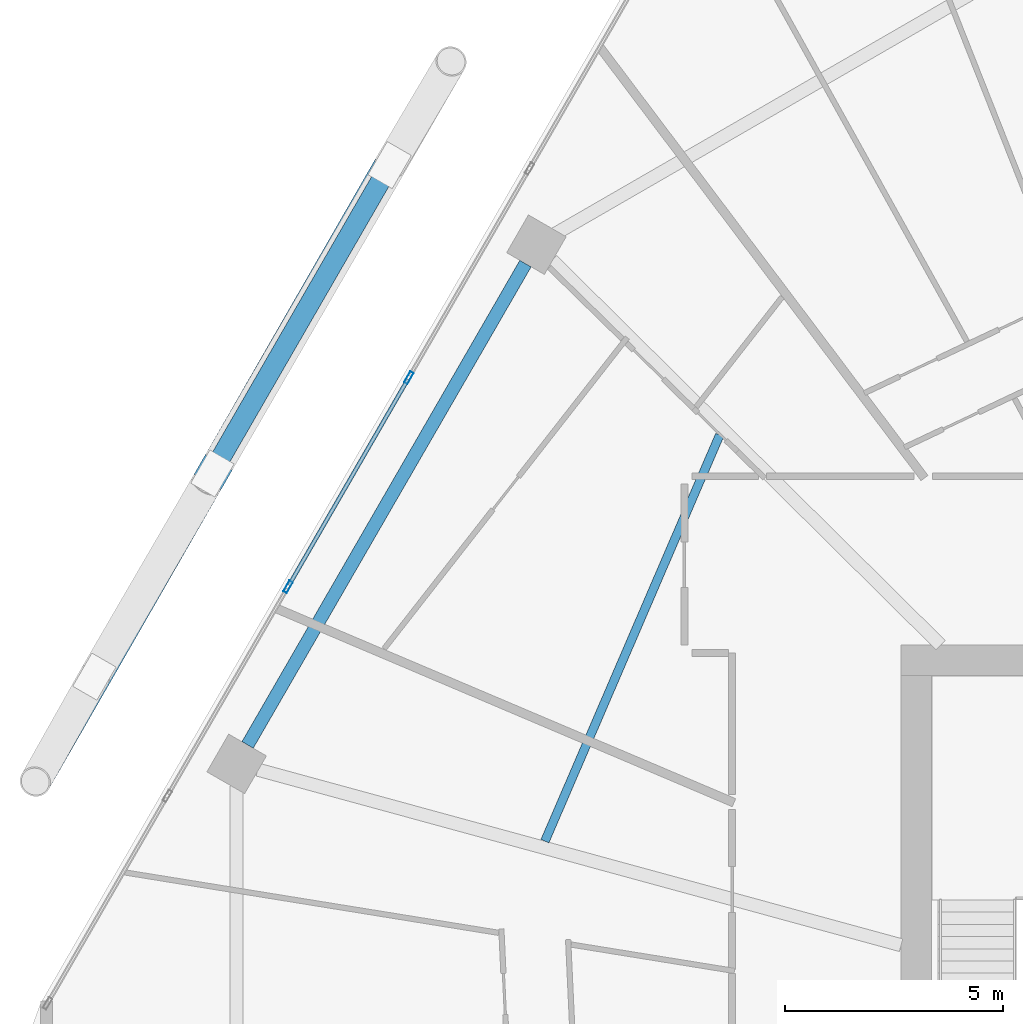
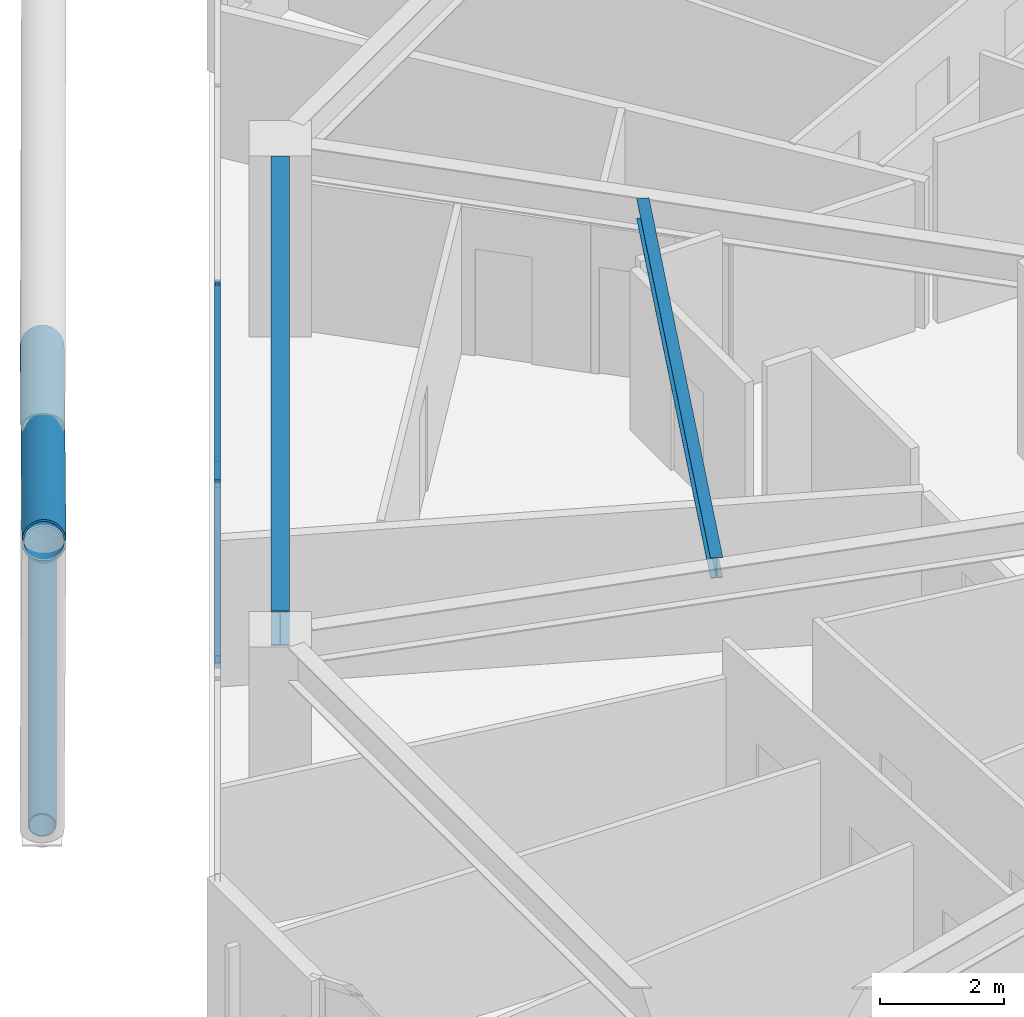
# One storey, part 12 of 29: 6 members, 2 beams, 1 element without a shape of its own.
"""IFC4 building model written with IfcOpenShell, lengths in metres."""

import ifcopenshell
import ifcopenshell.guid

model = None  # the IFC model being written
_history = None  # IfcOwnerHistory: only IFC2X3 demands one
_inside = {}  # id of a spatial element -> (the spatial element, [elements in it])
_under = {}  # id of a project, library or spatial element -> (it, [spatial elements below it])
_declared = {}  # id of a project -> (the project, [libraries it declares])
_typed = {}  # id of a type object -> (the type object, [elements of that type])
_made_of = {}  # id of a material, layer set ... -> (it, [elements and type objects made of it])


def new_model(schema):
    """Start an empty IFC model of exactly this schema.

    Asked for "IFC4X3", IfcOpenShell would pick the latest addendum, in which some entities
    have other attributes; the version numbers below select the first issue.
    IFC2X3 requires an IfcOwnerHistory on every rooted entity: one is made here for all.
    """
    global model, _history
    if schema == "IFC4X3":
        model = ifcopenshell.file(schema_version=(4, 3, 0, 0))
    else:
        model = ifcopenshell.file(schema=schema)
    _inside.clear()
    _under.clear()
    _declared.clear()
    _typed.clear()
    _made_of.clear()
    _history = None
    if model.schema == "IFC2X3":
        org = make("IfcOrganization", Name="unknown")
        user = make(
            "IfcPersonAndOrganization",
            ThePerson=make("IfcPerson", FamilyName="unknown"),
            TheOrganization=org,
        )
        app = make(
            "IfcApplication",
            ApplicationDeveloper=org,
            Version="unknown",
            ApplicationFullName="unknown",
            ApplicationIdentifier="unknown",
        )
        _history = make(
            "IfcOwnerHistory",
            OwningUser=user,
            OwningApplication=app,
            ChangeAction="ADDED",
            CreationDate=0,
        )
    return model


def make(cls, **values):
    """One entity of the class cls with the attributes given. An attribute that is None is left unset."""
    return model.create_entity(
        cls, **{name: value for name, value in values.items() if value is not None}
    )


def rooted(cls, **values):
    """An entity with a GlobalId (a new one), such as an element, a storey or a relation."""
    return make(cls, GlobalId=ifcopenshell.guid.new(), OwnerHistory=_history, **values)


def si_unit(unit_type, name, prefix=None):
    """IfcSIUnit, for example si_unit("LENGTHUNIT", "METRE", prefix="MILLI")."""
    return make("IfcSIUnit", UnitType=unit_type, Prefix=prefix, Name=name)


def assignment(units):
    """IfcUnitAssignment: the units of a project."""
    return None if units is None else make("IfcUnitAssignment", Units=units)


def point(xyz):
    """IfcCartesianPoint."""
    return None if xyz is None else make("IfcCartesianPoint", Coordinates=xyz)


def direction(xyz):
    """IfcDirection."""
    return None if xyz is None else make("IfcDirection", DirectionRatios=xyz)


def frame(location, z_axis=None, x_axis=None):
    """IfcAxis2Placement3D, a coordinate frame: its origin and axes. An axis left out is left unset."""
    return make(
        "IfcAxis2Placement3D",
        Location=point(location),
        Axis=direction(z_axis),
        RefDirection=direction(x_axis),
    )


def frame_2d(location, x_axis=None):
    """IfcAxis2Placement2D, a coordinate frame in the plane: its origin and x axis."""
    return make(
        "IfcAxis2Placement2D", Location=point(location), RefDirection=direction(x_axis)
    )


def origin():
    """The frame at (0, 0, 0) with its axes left unset."""
    return frame((0.0, 0.0, 0.0))


def origin_2d():
    """The frame at (0, 0) in the plane with its x axis left unset."""
    return frame_2d((0.0, 0.0))


def place(relative_to, where):
    """IfcLocalPlacement: puts the frame where relative to a parent placement (None: the world)."""
    return make(
        "IfcLocalPlacement", PlacementRelTo=relative_to, RelativePlacement=where
    )


def context(
    kind, dimensions, precision=None, world=None, true_north=None, identifier=None
):
    """IfcGeometricRepresentationContext, for example the 3D "Model" context."""
    return make(
        "IfcGeometricRepresentationContext",
        ContextIdentifier=identifier,
        ContextType=kind,
        CoordinateSpaceDimension=dimensions,
        Precision=precision,
        WorldCoordinateSystem=world,
        TrueNorth=true_north,
    )


def subcontext(parent, identifier, kind, view, scale=None):
    """IfcGeometricRepresentationSubContext, for example "Body" below "Model"."""
    return make(
        "IfcGeometricRepresentationSubContext",
        ContextIdentifier=identifier,
        ContextType=kind,
        ParentContext=parent,
        TargetScale=scale,
        TargetView=view,
    )


def project(units=None, contexts=None):
    """IfcProject with its units and contexts."""
    return rooted(
        "IfcProject",
        Name="project",
        RepresentationContexts=contexts,
        UnitsInContext=assignment(units),
    )


def spatial(cls, under=None, at=None, **own):
    """A site, building, storey or space (cls), placed at a placement, below another one or the project."""
    s = rooted(cls, ObjectPlacement=at, **own)
    if under is not None:
        _under.setdefault(under.id(), (under, []))[1].append(s)
    return s


def profile(cls, at=None, kind="AREA", **sizes):
    """A parametric profile (cls). Its sizes go by their IFC names, for example OverallWidth=200.0."""
    return make(cls, ProfileType=kind, Position=at, **sizes)


def hollow_rectangle(**sizes):
    """IfcRectangleHollowProfileDef."""
    return profile("IfcRectangleHollowProfileDef", **sizes)


def hollow_circle(**sizes):
    """IfcCircleHollowProfileDef."""
    return profile("IfcCircleHollowProfileDef", **sizes)


def i_section(**sizes):
    """IfcIShapeProfileDef."""
    return profile("IfcIShapeProfileDef", **sizes)


def extrude(swept, where, along, depth):
    """IfcExtrudedAreaSolid: the profile swept, set in the frame where, extruded along a direction by depth."""
    return make(
        "IfcExtrudedAreaSolid",
        SweptArea=swept,
        Position=where,
        ExtrudedDirection=direction(along),
        Depth=depth,
    )


def shape(context_of_items, identifier, shape_type, items):
    """IfcShapeRepresentation: the items that make up one representation, for example the "Body"."""
    return make(
        "IfcShapeRepresentation",
        ContextOfItems=context_of_items,
        RepresentationIdentifier=identifier,
        RepresentationType=shape_type,
        Items=items,
    )


def material(Name=None, Category=None):
    """IfcMaterial."""
    return make("IfcMaterial", Name=Name, Category=Category)


def material_profile(
    of_material, cross_section, Name=None, Category=None, Priority=None
):
    """IfcMaterialProfile: a cross section and its material."""
    return make(
        "IfcMaterialProfile",
        Name=Name,
        Material=of_material,
        Profile=cross_section,
        Priority=Priority,
        Category=Category,
    )


def profile_set(profiles, Name=None, composite=None):
    """IfcMaterialProfileSet."""
    return make(
        "IfcMaterialProfileSet",
        Name=Name,
        MaterialProfiles=profiles,
        CompositeProfile=composite,
    )


def made_of(thing, what):
    """Note that an element or type object is made of a material, layer set ...; save() writes the relation."""
    if what is not None:
        _made_of.setdefault(what.id(), (what, []))[1].append(thing)
    return thing


def type_object(cls, material=None, **own):
    """A type object (cls), such as IfcWallType, which elements share."""
    return made_of(rooted(cls, **own), material)


def element(
    cls,
    number,
    at=None,
    inside=None,
    cuts=None,
    type_object=None,
    material=None,
    context=None,
    identifier="Body",
    shape_type=None,
    held_by="IfcProductDefinitionShape",
    body=None,
    shapes=None,
    **own,
):
    """One element of the class cls, such as IfcWall. Its Tag is "e" and its number.

    at: its placement. inside: the storey or other place that contains it. cuts: it is an
    opening in that element (IfcRelVoidsElement). A single representation is given by context,
    identifier, shape_type and body (its items); several are given by shapes. held_by: the class
    of the entity that holds the representations. save() writes the other relations.
    """
    e = rooted(cls, Tag="e%d" % number, ObjectPlacement=at, **own)
    if body is not None:
        shapes = [shape(context, identifier, shape_type, body)]
    if shapes is not None:
        e.Representation = make(held_by, Representations=shapes)
    if inside is not None:
        _inside.setdefault(inside.id(), (inside, []))[1].append(e)
    if cuts is not None:
        rooted(
            "IfcRelVoidsElement", RelatingBuildingElement=cuts, RelatedOpeningElement=e
        )
    if type_object is not None:
        _typed.setdefault(type_object.id(), (type_object, []))[1].append(e)
    return made_of(e, material)


def aggregate(whole, parts):
    """IfcRelAggregates: a whole, such as a stair, and the parts it consists of."""
    return rooted("IfcRelAggregates", RelatingObject=whole, RelatedObjects=parts)


def save(model, path):
    """Write the relations noted so far, then the file.

    IfcRelAggregates (storeys below a building ...), IfcRelContainedInSpatialStructure (elements
    in a storey), IfcRelDefinesByType, IfcRelAssociatesMaterial and IfcRelDeclares: one each for
    every whole, place, type object, material and project.
    """
    for whole, parts in _under.values():
        aggregate(whole, parts)
    for where, things in _inside.values():
        rooted(
            "IfcRelContainedInSpatialStructure",
            RelatedElements=things,
            RelatingStructure=where,
        )
    for kind, things in _typed.values():
        rooted("IfcRelDefinesByType", RelatedObjects=things, RelatingType=kind)
    for what, things in _made_of.values():
        rooted("IfcRelAssociatesMaterial", RelatedObjects=things, RelatingMaterial=what)
    for by, libraries in _declared.values():
        rooted("IfcRelDeclares", RelatingContext=by, RelatedDefinitions=libraries)
    model.write(path)


model = new_model("IFC4")

# Units and contexts
model_context = context("Model", 3, precision=1e-05, world=origin(), true_north=direction((0.0, 1.0)))
body_context = subcontext(model_context, "Body", "Model", "MODEL_VIEW")
ifc_project = project(units=[si_unit("LENGTHUNIT", "METRE"), si_unit("AREAUNIT", "SQUARE_METRE"), si_unit("VOLUMEUNIT", "CUBIC_METRE"), si_unit("PLANEANGLEUNIT", "RADIAN"), si_unit("MASSUNIT", "GRAM", prefix="KILO")], contexts=[model_context])

# Site, building, storey
site_placement = place(None, origin())
site = spatial("IfcSite", under=ifc_project, at=site_placement, CompositionType="ELEMENT")
building_placement = place(site_placement, origin())
building = spatial("IfcBuilding", under=site, at=building_placement, Name="Zuhravey Tower", CompositionType="ELEMENT")
storey_placement = place(building_placement, frame((0.0, 0.0, 184.60009765625)))
storey = spatial("IfcBuildingStorey", under=building, at=storey_placement, Name="L46", CompositionType="ELEMENT", Elevation=184.60009765625)

# Curtain wall, members
ifc_material_1 = material(Name="Thermally broken anodised aluminium", Category="aluminium")
curtain_wall_type = type_object("IfcCurtainWallType", Name="Zone 1-2 Residential Curtain Wall CW3", PredefinedType="NOTDEFINED", material=ifc_material_1)
curtain_wall_placement = place(storey_placement, origin())
curtain_wall = element("IfcCurtainWall", 1, at=curtain_wall_placement, inside=storey, type_object=curtain_wall_type, Name="L46 CW3 CW-L46-F3-1", PredefinedType="NOTDEFINED")
ifc_material_2 = material(Name="Anodised aluminium", Category="aluminium")
ifc_material_profile_1 = material_profile(ifc_material_2, hollow_rectangle(XDim=0.090087890625, YDim=0.284912109375, WallThickness=0.0048828125, at=origin_2d()), Name="ALU-RHS-90x285x5")
ifc_profile_set_1 = profile_set([ifc_material_profile_1], Name="Anodised aluminium")
member_type_1 = type_object("IfcMemberType", Name="Curtain-Wall Mullion 90x180", PredefinedType="MULLION", material=ifc_profile_set_1)
member_1_placement = place(storey_placement, frame((11.07275390625, 43.190673828125, 0.0), z_axis=(0.0, 0.0, 1.0), x_axis=(-0.866025138215, 0.500000459979, 0.0)))
member_1 = element("IfcMember", 2, at=member_1_placement, type_object=member_type_1, Name="CW3 mullion 3", PredefinedType="MULLION", context=body_context, shape_type="SweptSolid", body=[
    extrude(hollow_rectangle(XDim=0.090087890625, YDim=0.284912109375, WallThickness=0.0048828125, at=origin_2d()), origin(), (0.0, 0.0, 1.0), 3.5498046875),
])
member_2_placement = place(storey_placement, frame((13.844970703125, 47.992431640625, 0.0), z_axis=(0.0, 0.0, 1.0), x_axis=(-0.866025138215, 0.500000459979, 0.0)))
member_2 = element("IfcMember", 3, at=member_2_placement, type_object=member_type_1, Name="CW3 mullion 4", PredefinedType="MULLION", context=body_context, shape_type="SweptSolid", body=[
    extrude(hollow_rectangle(XDim=0.090087890625, YDim=0.284912109375, WallThickness=0.0048828125, at=origin_2d()), origin(), (0.0, 0.0, 1.0), 3.5498046875),
])
ifc_material_profile_2 = material_profile(ifc_material_2, hollow_rectangle(XDim=0.090087890625, YDim=0.14990234375, WallThickness=0.0048828125, at=origin_2d()), Name="ALU-RHS-90x150x5")
ifc_profile_set_2 = profile_set([ifc_material_profile_2], Name="Anodised aluminium")
member_type_2 = type_object("IfcMemberType", Name="Curtain-Wall Transom 90x150", PredefinedType="USERDEFINED", material=ifc_profile_set_2)
member_3_placement = place(storey_placement, frame((11.09521484375, 43.229736328125, 0.044921875), z_axis=(0.499980763544, 0.866036509673, 0.0), x_axis=(-0.866036509673, 0.499980763544, 0.0)))
member_3 = element("IfcMember", 4, at=member_3_placement, type_object=member_type_2, Name="CW3 transom 3.1", ObjectType="TRANSOM", PredefinedType="USERDEFINED", context=body_context, shape_type="SweptSolid", body=[
    extrude(hollow_rectangle(XDim=0.090087890625, YDim=0.14990234375, WallThickness=0.0048828125, at=origin_2d()), origin(), (0.0, 0.0, 1.0), 5.454345703125),
])
member_4_placement = place(storey_placement, frame((11.09521484375, 43.229736328125, 3.5048828125), z_axis=(0.499980763544, 0.866036509673, 0.0), x_axis=(-0.866036509673, 0.499980763544, 0.0)))
member_4 = element("IfcMember", 5, at=member_4_placement, type_object=member_type_2, Name="CW3 transom 3.2", ObjectType="TRANSOM", PredefinedType="USERDEFINED", context=body_context, shape_type="SweptSolid", body=[
    extrude(hollow_rectangle(XDim=0.090087890625, YDim=0.14990234375, WallThickness=0.0048828125, at=origin_2d()), origin(), (0.0, 0.0, 1.0), 5.454345703125),
])
aggregate(curtain_wall, [member_1, member_2, member_3, member_4])

# Members
ifc_material_3 = material(Name="Steel SM355", Category="steel")
ifc_material_profile_3 = material_profile(ifc_material_3, hollow_circle(Radius=0.228515625, WallThickness=0.02197265625, at=origin_2d()), Name="CHS-457.2x22")
ifc_profile_set_3 = profile_set([ifc_material_profile_3], Name="Steel SM355")
member_type_3 = type_object("IfcMemberType", Name="Exoskeleton Ring Tie CHS457x22", PredefinedType="CHORD", material=ifc_profile_set_3)
member_5_placement = place(storey_placement, frame((13.3369140625, 52.752685546875, -0.464111328125), z_axis=(-0.499996131841, -0.866027637056, 0.0), x_axis=(0.866027637056, -0.499996131841, 0.0)))
element("IfcMember", 6, at=member_5_placement, inside=storey, type_object=member_type_3, Name="L46 Exoskeleton Face 3 Tie EXR1", PredefinedType="CHORD", context=body_context, shape_type="SweptSolid", body=[
    extrude(hollow_circle(Radius=0.228515625, WallThickness=0.02197265625, at=origin_2d()), origin(), (0.0, 0.0, 1.0), 13.28173828125),
])
ifc_material_4 = material(Name="Steel SM460", Category="steel")
ifc_material_profile_4 = material_profile(ifc_material_4, hollow_circle(Radius=0.355712890625, WallThickness=0.031982421875, at=origin_2d()), Name="CHS-711.2x32")
ifc_profile_set_4 = profile_set([ifc_material_profile_4], Name="Steel SM460")
member_type_4 = type_object("IfcMemberType", Name="Exoskeleton Zone 2 Diagrid CHS711x32", PredefinedType="BRACE", material=ifc_profile_set_4)
member_6_placement = place(storey_placement, frame((13.385498046875, 52.836669921875, -0.444091796875), z_axis=(-0.451899634466, -0.786036191222, 0.421822031738), x_axis=(0.866940223657, -0.498412127266, 0.0)))
element("IfcMember", 7, at=member_6_placement, inside=storey, type_object=member_type_4, Name="L46 Face 3 Diagrid Brace 2", PredefinedType="BRACE", context=body_context, shape_type="SweptSolid", body=[
    extrude(hollow_circle(Radius=0.355712890625, WallThickness=0.031982421875, at=origin_2d()), origin(), (0.0, 0.0, 1.0), 17.92236328125),
])

# Beams
ifc_material_profile_5 = material_profile(ifc_material_3, i_section(OverallWidth=0.300048828125, OverallDepth=0.679931640625, WebThickness=0.012939453125, FlangeThickness=0.02197265625, at=origin_2d()), Name="H-680x300x13x22")
ifc_profile_set_5 = profile_set([ifc_material_profile_5], Name="Steel SM355")
beam_type_1 = type_object("IfcBeamType", Name="Perimeter Ring Beam H680x300", PredefinedType="BEAM", material=ifc_profile_set_5)
beam_1_placement = place(storey_placement, frame((16.52294921875, 50.611083984375, 3.2099609375), z_axis=(-0.499997974489, -0.866026573211, 0.0), x_axis=(0.866026573211, -0.499997974489, 0.0)))
element("IfcBeam", 8, at=beam_1_placement, inside=storey, type_object=beam_type_1, Name="L46 PB2 BM-L46-PB-05", PredefinedType="BEAM", context=body_context, shape_type="SweptSolid", body=[
    extrude(i_section(OverallWidth=0.300048828125, OverallDepth=0.679931640625, WebThickness=0.012939453125, FlangeThickness=0.02197265625, at=origin_2d()), origin(), (0.0, 0.0, 1.0), 12.75830078125),
])
ifc_material_profile_6 = material_profile(ifc_material_3, i_section(OverallWidth=0.199951171875, OverallDepth=0.39990234375, WebThickness=0.008056640625, FlangeThickness=0.012939453125, at=origin_2d()), Name="H-400x200x8x13")
ifc_profile_set_6 = profile_set([ifc_material_profile_6], Name="Steel SM355")
beam_type_2 = type_object("IfcBeamType", Name="Secondary Floor Joist H400x200", PredefinedType="JOIST", material=ifc_profile_set_6)
beam_2_placement = place(storey_placement, frame((20.982421875, 46.676025390625, 3.349853515625), z_axis=(-0.395265853487, -0.918566766799, 0.0), x_axis=(0.918566766799, -0.395265853487, 0.0)))
element("IfcBeam", 9, at=beam_2_placement, inside=storey, type_object=beam_type_2, Name="L46 SJ2 BM-L46-SJ-05-1", PredefinedType="JOIST", context=body_context, shape_type="SweptSolid", body=[
    extrude(i_section(OverallWidth=0.199951171875, OverallDepth=0.39990234375, WebThickness=0.008056640625, FlangeThickness=0.012939453125, at=origin_2d()), origin(), (0.0, 0.0, 1.0), 10.150146484375),
])

save(model, "model.ifc")
